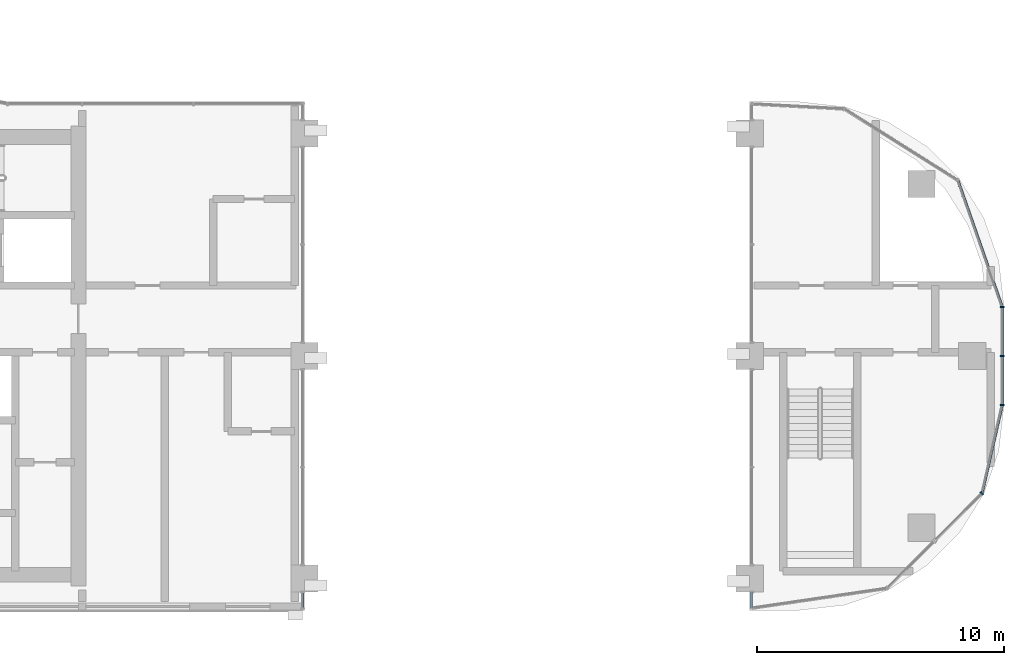
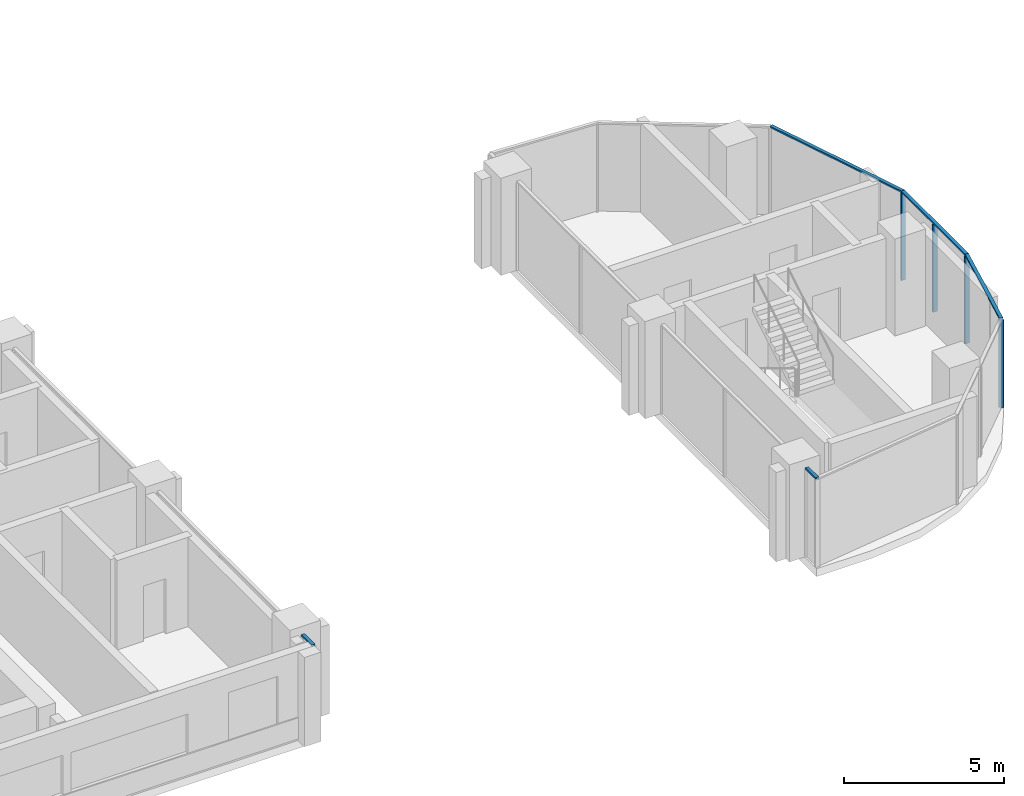
# One storey, part 6 of 23: 9 members, 5 elements without a shape of their own.
"""IFC4 building model written with IfcOpenShell, lengths in metres."""

from ifc_helpers import new_model, si_unit, direction, frame, origin, origin_2d, place, context, subcontext, project, spatial, rectangle, extrude, material, material_profile, profile_set, type_object, element, aggregate, save


model = new_model("IFC4")

# Units and contexts
model_context = context("Model", 3, precision=1e-05, world=origin(), true_north=direction((0.0, 1.0)))
body_context = subcontext(model_context, "Body", "Model", "MODEL_VIEW")
ifc_project = project(units=[si_unit("LENGTHUNIT", "METRE"), si_unit("AREAUNIT", "SQUARE_METRE"), si_unit("VOLUMEUNIT", "CUBIC_METRE"), si_unit("PLANEANGLEUNIT", "RADIAN"), si_unit("MASSUNIT", "GRAM", prefix="KILO")], contexts=[model_context])

# Site, building, storey
site_placement = place(None, origin())
site = spatial("IfcSite", under=ifc_project, at=site_placement, CompositionType="ELEMENT")
building_placement = place(site_placement, origin())
building = spatial("IfcBuilding", under=site, at=building_placement, Name="Ogive Portal Towers", CompositionType="ELEMENT")
storey_placement = place(building_placement, frame((0.0, 0.0, 168.10009765625)))
storey = spatial("IfcBuildingStorey", under=building, at=storey_placement, Name="L41", CompositionType="ELEMENT", Elevation=168.10009765625)

# Curtain wall, members
ifc_material_1 = material(Name="Glass, clear low-iron insulated glazing", Category="glass")
curtain_wall_type_1 = type_object("IfcCurtainWallType", Name="CW FRONT RIBBON 4500", PredefinedType="NOTDEFINED", material=ifc_material_1)
curtain_wall_1_placement = place(storey_placement, origin())
curtain_wall_1 = element("IfcCurtainWall", 1, at=curtain_wall_1_placement, inside=storey, type_object=curtain_wall_type_1, Name="A:L41:f26:cw0", PredefinedType="NOTDEFINED")
ifc_material_2 = material(Name="Aluminium 6063 anodised", Category="aluminium")
ifc_material_profile_1 = material_profile(ifc_material_2, rectangle(XDim=0.159912109375, YDim=0.06005859375, at=origin_2d()), Name="AL 60x160")
ifc_profile_set_1 = profile_set([ifc_material_profile_1], Name="Aluminium 6063 anodised")
member_type_1 = type_object("IfcMemberType", Name="CW MULLION 60x160", PredefinedType="MULLION", material=ifc_profile_set_1)
member_1_placement = place(storey_placement, frame((95.705078125, 28.509033203125, 0.0), z_axis=(0.0, 0.0, 1.0), x_axis=(-1.0, 0.0, 0.0)))
member_1 = element("IfcMember", 2, at=member_1_placement, type_object=member_type_1, Name="mullion", PredefinedType="MULLION", context=body_context, shape_type="SweptSolid", body=[
    extrude(rectangle(XDim=0.159912109375, YDim=0.06005859375, at=origin_2d()), origin(), (0.0, 0.0, 1.0), 3.33984375),
])
member_2_placement = place(storey_placement, frame((95.705078125, 30.5, 0.0), z_axis=(0.0, 0.0, 1.0), x_axis=(-1.0, 0.0, 0.0)))
member_2 = element("IfcMember", 3, at=member_2_placement, type_object=member_type_1, Name="mullion", PredefinedType="MULLION", context=body_context, shape_type="SweptSolid", body=[
    extrude(rectangle(XDim=0.159912109375, YDim=0.06005859375, at=origin_2d()), origin(), (0.0, 0.0, 1.0), 3.33984375),
])
member_3_placement = place(storey_placement, frame((95.705078125, 32.486328125, 0.0), z_axis=(0.0, 0.0, 1.0), x_axis=(-1.0, 0.0, 0.0)))
member_3 = element("IfcMember", 4, at=member_3_placement, type_object=member_type_1, Name="mullion", PredefinedType="MULLION", context=body_context, shape_type="SweptSolid", body=[
    extrude(rectangle(XDim=0.159912109375, YDim=0.06005859375, at=origin_2d()), origin(), (0.0, 0.0, 1.0), 3.33984375),
])

# Curtain wall, member
curtain_wall_2_placement = place(storey_placement, origin())
curtain_wall_2 = element("IfcCurtainWall", 5, at=curtain_wall_2_placement, inside=storey, type_object=curtain_wall_type_1, Name="A:L41:f23:cwa~1", PredefinedType="NOTDEFINED")
member_4_placement = place(storey_placement, frame((94.8916015625, 24.945556640625, 0.0), z_axis=(0.0, 0.0, 1.0), x_axis=(-0.707106781187, 0.707106781187, 0.0)))
member_4 = element("IfcMember", 6, at=member_4_placement, type_object=member_type_1, Name="mullion", PredefinedType="MULLION", context=body_context, shape_type="SweptSolid", body=[
    extrude(rectangle(XDim=0.159912109375, YDim=0.06005859375, at=origin_2d()), origin(), (0.0, 0.0, 1.0), 3.33984375),
])

curtain_wall_type_2 = type_object("IfcCurtainWallType", Name="CW PORTAL REVEAL", PredefinedType="NOTDEFINED", material=ifc_material_1)
curtain_wall_3_placement = place(storey_placement, origin())
curtain_wall_3 = element("IfcCurtainWall", 7, at=curtain_wall_3_placement, inside=storey, type_object=curtain_wall_type_2, Name="A:L41:f06:cw0~0", PredefinedType="NOTDEFINED")
ifc_material_profile_2 = material_profile(ifc_material_2, rectangle(XDim=0.1201171875, YDim=0.06005859375, at=origin_2d()), Name="AL 120x60")
ifc_profile_set_2 = profile_set([ifc_material_profile_2], Name="Aluminium 6063 anodised")
member_type_2 = type_object("IfcMemberType", Name="CW TRANSOM 60x120", PredefinedType="USERDEFINED", material=ifc_profile_set_2)
member_5_placement = place(storey_placement, frame((67.419921875, 20.294921875, 3.369873046875), z_axis=(0.0, 1.0, 0.0), x_axis=(-1.0, 0.0, 0.0)))
member_5 = element("IfcMember", 8, at=member_5_placement, type_object=member_type_2, Name="transom", ObjectType="TRANSOM", PredefinedType="USERDEFINED", context=body_context, shape_type="SweptSolid", body=[
    extrude(rectangle(XDim=0.1201171875, YDim=0.06005859375, at=origin_2d()), origin(), (0.0, 0.0, 1.0), 0.655029296875),
])
aggregate(curtain_wall_3, [member_5])

curtain_wall_4_placement = place(storey_placement, origin())
curtain_wall_4 = element("IfcCurtainWall", 9, at=curtain_wall_4_placement, inside=storey, type_object=curtain_wall_type_2, Name="A:L41:f22:cw0~3", PredefinedType="NOTDEFINED")
member_6_placement = place(storey_placement, frame((85.580078125, 20.949951171875, 3.369873046875), z_axis=(0.0, -1.0, 0.0), x_axis=(1.0, 0.0, 0.0)))
member_6 = element("IfcMember", 10, at=member_6_placement, type_object=member_type_2, Name="transom", ObjectType="TRANSOM", PredefinedType="USERDEFINED", context=body_context, shape_type="SweptSolid", body=[
    extrude(rectangle(XDim=0.1201171875, YDim=0.06005859375, at=origin_2d()), origin(), (0.0, 0.0, 1.0), 0.642333984375),
])
aggregate(curtain_wall_4, [member_6])

# Member
member_7_placement = place(storey_placement, frame((95.705078125, 28.509033203125, 3.369873046875), z_axis=(0.0, 1.0, 0.0), x_axis=(-1.0, 0.0, 0.0)))
member_7 = element("IfcMember", 11, at=member_7_placement, type_object=member_type_2, Name="transom", ObjectType="TRANSOM", PredefinedType="USERDEFINED", context=body_context, shape_type="SweptSolid", body=[
    extrude(rectangle(XDim=0.1201171875, YDim=0.06005859375, at=origin_2d()), origin(), (0.0, 0.0, 1.0), 3.977294921875),
])

aggregate(curtain_wall_1, [member_7, member_1, member_2, member_3])

member_8_placement = place(storey_placement, frame((94.8916015625, 24.945556640625, 3.369873046875), z_axis=(0.2225563749, 0.97491982234, 0.0), x_axis=(-0.97491982234, 0.2225563749, 0.0)))
member_8 = element("IfcMember", 12, at=member_8_placement, type_object=member_type_2, Name="transom", ObjectType="TRANSOM", PredefinedType="USERDEFINED", context=body_context, shape_type="SweptSolid", body=[
    extrude(rectangle(XDim=0.1201171875, YDim=0.06005859375, at=origin_2d()), origin(), (0.0, 0.0, 1.0), 3.655029296875),
])

aggregate(curtain_wall_2, [member_8, member_4])

# Curtain wall, member
curtain_wall_5_placement = place(storey_placement, origin())
curtain_wall_5 = element("IfcCurtainWall", 13, at=curtain_wall_5_placement, inside=storey, type_object=curtain_wall_type_1, Name="A:L41:f27:cwa", PredefinedType="NOTDEFINED")
member_9_placement = place(storey_placement, frame((95.705078125, 32.486328125, 3.369873046875), z_axis=(-0.33029836541, 0.943876575516, 0.0), x_axis=(-0.943876575516, -0.33029836541, 0.0)))
member_9 = element("IfcMember", 14, at=member_9_placement, type_object=member_type_2, Name="transom", ObjectType="TRANSOM", PredefinedType="USERDEFINED", context=body_context, shape_type="SweptSolid", body=[
    extrude(rectangle(XDim=0.1201171875, YDim=0.06005859375, at=origin_2d()), origin(), (0.0, 0.0, 1.0), 5.431396484375),
])
aggregate(curtain_wall_5, [member_9])

save(model, "model.ifc")
